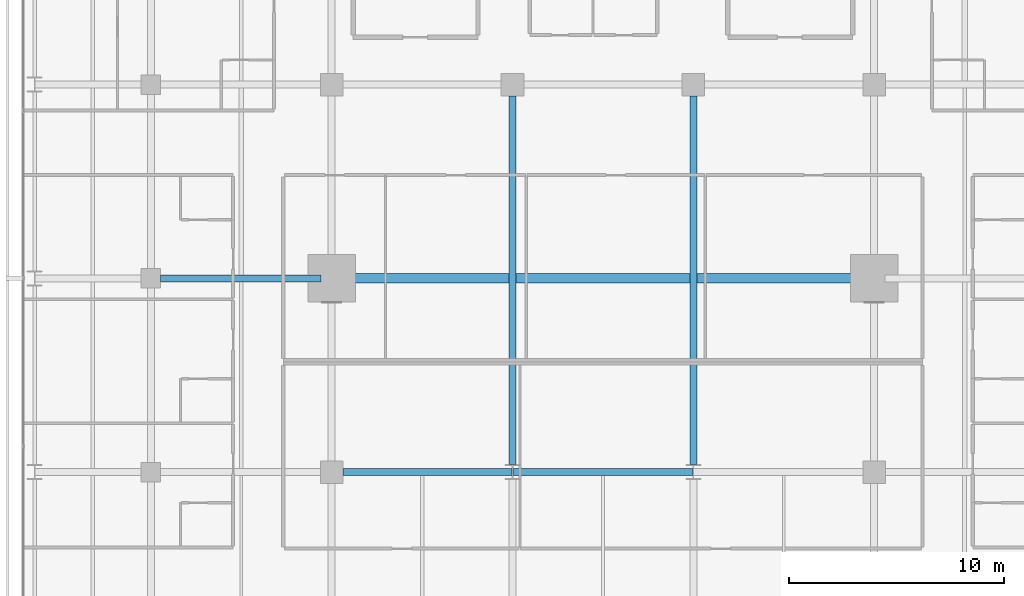
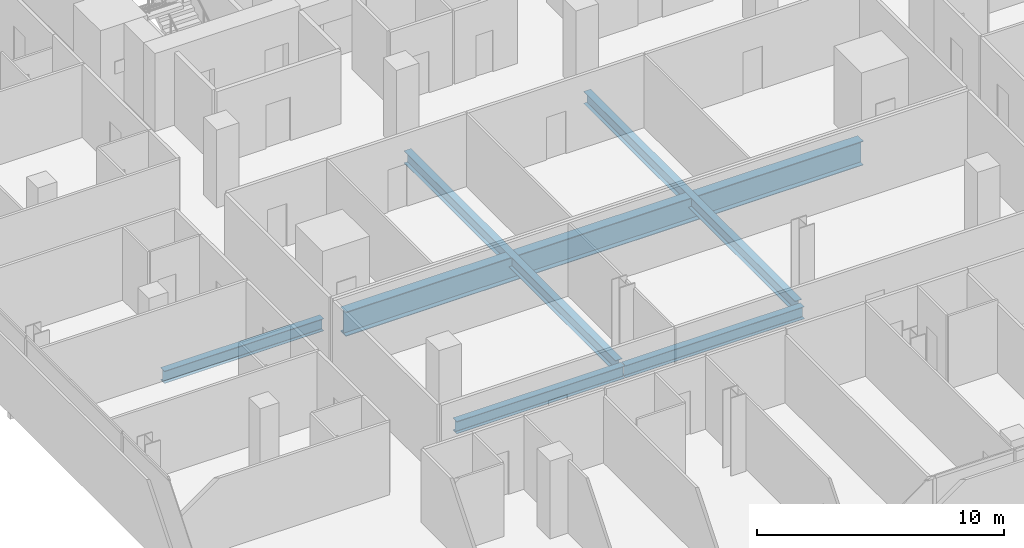
# One storey, part 13 of 40: 6 beams.
"""IFC4 building model written with IfcOpenShell, lengths in metres."""

import ifcopenshell
import ifcopenshell.guid

model = None  # the IFC model being written
_history = None  # IfcOwnerHistory: only IFC2X3 demands one
_inside = {}  # id of a spatial element -> (the spatial element, [elements in it])
_under = {}  # id of a project, library or spatial element -> (it, [spatial elements below it])
_declared = {}  # id of a project -> (the project, [libraries it declares])
_typed = {}  # id of a type object -> (the type object, [elements of that type])
_made_of = {}  # id of a material, layer set ... -> (it, [elements and type objects made of it])


def new_model(schema):
    """Start an empty IFC model of exactly this schema.

    Asked for "IFC4X3", IfcOpenShell would pick the latest addendum, in which some entities
    have other attributes; the version numbers below select the first issue.
    IFC2X3 requires an IfcOwnerHistory on every rooted entity: one is made here for all.
    """
    global model, _history
    if schema == "IFC4X3":
        model = ifcopenshell.file(schema_version=(4, 3, 0, 0))
    else:
        model = ifcopenshell.file(schema=schema)
    _inside.clear()
    _under.clear()
    _declared.clear()
    _typed.clear()
    _made_of.clear()
    _history = None
    if model.schema == "IFC2X3":
        org = make("IfcOrganization", Name="unknown")
        user = make(
            "IfcPersonAndOrganization",
            ThePerson=make("IfcPerson", FamilyName="unknown"),
            TheOrganization=org,
        )
        app = make(
            "IfcApplication",
            ApplicationDeveloper=org,
            Version="unknown",
            ApplicationFullName="unknown",
            ApplicationIdentifier="unknown",
        )
        _history = make(
            "IfcOwnerHistory",
            OwningUser=user,
            OwningApplication=app,
            ChangeAction="ADDED",
            CreationDate=0,
        )
    return model


def make(cls, **values):
    """One entity of the class cls with the attributes given. An attribute that is None is left unset."""
    return model.create_entity(
        cls, **{name: value for name, value in values.items() if value is not None}
    )


def rooted(cls, **values):
    """An entity with a GlobalId (a new one), such as an element, a storey or a relation."""
    return make(cls, GlobalId=ifcopenshell.guid.new(), OwnerHistory=_history, **values)


def si_unit(unit_type, name, prefix=None):
    """IfcSIUnit, for example si_unit("LENGTHUNIT", "METRE", prefix="MILLI")."""
    return make("IfcSIUnit", UnitType=unit_type, Prefix=prefix, Name=name)


def assignment(units):
    """IfcUnitAssignment: the units of a project."""
    return None if units is None else make("IfcUnitAssignment", Units=units)


def point(xyz):
    """IfcCartesianPoint."""
    return None if xyz is None else make("IfcCartesianPoint", Coordinates=xyz)


def direction(xyz):
    """IfcDirection."""
    return None if xyz is None else make("IfcDirection", DirectionRatios=xyz)


def frame(location, z_axis=None, x_axis=None):
    """IfcAxis2Placement3D, a coordinate frame: its origin and axes. An axis left out is left unset."""
    return make(
        "IfcAxis2Placement3D",
        Location=point(location),
        Axis=direction(z_axis),
        RefDirection=direction(x_axis),
    )


def frame_2d(location, x_axis=None):
    """IfcAxis2Placement2D, a coordinate frame in the plane: its origin and x axis."""
    return make(
        "IfcAxis2Placement2D", Location=point(location), RefDirection=direction(x_axis)
    )


def origin():
    """The frame at (0, 0, 0) with its axes left unset."""
    return frame((0.0, 0.0, 0.0))


def origin_2d():
    """The frame at (0, 0) in the plane with its x axis left unset."""
    return frame_2d((0.0, 0.0))


def place(relative_to, where):
    """IfcLocalPlacement: puts the frame where relative to a parent placement (None: the world)."""
    return make(
        "IfcLocalPlacement", PlacementRelTo=relative_to, RelativePlacement=where
    )


def context(
    kind, dimensions, precision=None, world=None, true_north=None, identifier=None
):
    """IfcGeometricRepresentationContext, for example the 3D "Model" context."""
    return make(
        "IfcGeometricRepresentationContext",
        ContextIdentifier=identifier,
        ContextType=kind,
        CoordinateSpaceDimension=dimensions,
        Precision=precision,
        WorldCoordinateSystem=world,
        TrueNorth=true_north,
    )


def subcontext(parent, identifier, kind, view, scale=None):
    """IfcGeometricRepresentationSubContext, for example "Body" below "Model"."""
    return make(
        "IfcGeometricRepresentationSubContext",
        ContextIdentifier=identifier,
        ContextType=kind,
        ParentContext=parent,
        TargetScale=scale,
        TargetView=view,
    )


def project(units=None, contexts=None):
    """IfcProject with its units and contexts."""
    return rooted(
        "IfcProject",
        Name="project",
        RepresentationContexts=contexts,
        UnitsInContext=assignment(units),
    )


def spatial(cls, under=None, at=None, **own):
    """A site, building, storey or space (cls), placed at a placement, below another one or the project."""
    s = rooted(cls, ObjectPlacement=at, **own)
    if under is not None:
        _under.setdefault(under.id(), (under, []))[1].append(s)
    return s


def profile(cls, at=None, kind="AREA", **sizes):
    """A parametric profile (cls). Its sizes go by their IFC names, for example OverallWidth=200.0."""
    return make(cls, ProfileType=kind, Position=at, **sizes)


def i_section(**sizes):
    """IfcIShapeProfileDef."""
    return profile("IfcIShapeProfileDef", **sizes)


def extrude(swept, where, along, depth):
    """IfcExtrudedAreaSolid: the profile swept, set in the frame where, extruded along a direction by depth."""
    return make(
        "IfcExtrudedAreaSolid",
        SweptArea=swept,
        Position=where,
        ExtrudedDirection=direction(along),
        Depth=depth,
    )


def shape(context_of_items, identifier, shape_type, items):
    """IfcShapeRepresentation: the items that make up one representation, for example the "Body"."""
    return make(
        "IfcShapeRepresentation",
        ContextOfItems=context_of_items,
        RepresentationIdentifier=identifier,
        RepresentationType=shape_type,
        Items=items,
    )


def material(Name=None, Category=None):
    """IfcMaterial."""
    return make("IfcMaterial", Name=Name, Category=Category)


def material_profile(
    of_material, cross_section, Name=None, Category=None, Priority=None
):
    """IfcMaterialProfile: a cross section and its material."""
    return make(
        "IfcMaterialProfile",
        Name=Name,
        Material=of_material,
        Profile=cross_section,
        Priority=Priority,
        Category=Category,
    )


def profile_set(profiles, Name=None, composite=None):
    """IfcMaterialProfileSet."""
    return make(
        "IfcMaterialProfileSet",
        Name=Name,
        MaterialProfiles=profiles,
        CompositeProfile=composite,
    )


def made_of(thing, what):
    """Note that an element or type object is made of a material, layer set ...; save() writes the relation."""
    if what is not None:
        _made_of.setdefault(what.id(), (what, []))[1].append(thing)
    return thing


def type_object(cls, material=None, **own):
    """A type object (cls), such as IfcWallType, which elements share."""
    return made_of(rooted(cls, **own), material)


def element(
    cls,
    number,
    at=None,
    inside=None,
    cuts=None,
    type_object=None,
    material=None,
    context=None,
    identifier="Body",
    shape_type=None,
    held_by="IfcProductDefinitionShape",
    body=None,
    shapes=None,
    **own,
):
    """One element of the class cls, such as IfcWall. Its Tag is "e" and its number.

    at: its placement. inside: the storey or other place that contains it. cuts: it is an
    opening in that element (IfcRelVoidsElement). A single representation is given by context,
    identifier, shape_type and body (its items); several are given by shapes. held_by: the class
    of the entity that holds the representations. save() writes the other relations.
    """
    e = rooted(cls, Tag="e%d" % number, ObjectPlacement=at, **own)
    if body is not None:
        shapes = [shape(context, identifier, shape_type, body)]
    if shapes is not None:
        e.Representation = make(held_by, Representations=shapes)
    if inside is not None:
        _inside.setdefault(inside.id(), (inside, []))[1].append(e)
    if cuts is not None:
        rooted(
            "IfcRelVoidsElement", RelatingBuildingElement=cuts, RelatedOpeningElement=e
        )
    if type_object is not None:
        _typed.setdefault(type_object.id(), (type_object, []))[1].append(e)
    return made_of(e, material)


def aggregate(whole, parts):
    """IfcRelAggregates: a whole, such as a stair, and the parts it consists of."""
    return rooted("IfcRelAggregates", RelatingObject=whole, RelatedObjects=parts)


def save(model, path):
    """Write the relations noted so far, then the file.

    IfcRelAggregates (storeys below a building ...), IfcRelContainedInSpatialStructure (elements
    in a storey), IfcRelDefinesByType, IfcRelAssociatesMaterial and IfcRelDeclares: one each for
    every whole, place, type object, material and project.
    """
    for whole, parts in _under.values():
        aggregate(whole, parts)
    for where, things in _inside.values():
        rooted(
            "IfcRelContainedInSpatialStructure",
            RelatedElements=things,
            RelatingStructure=where,
        )
    for kind, things in _typed.values():
        rooted("IfcRelDefinesByType", RelatedObjects=things, RelatingType=kind)
    for what, things in _made_of.values():
        rooted("IfcRelAssociatesMaterial", RelatedObjects=things, RelatingMaterial=what)
    for by, libraries in _declared.values():
        rooted("IfcRelDeclares", RelatingContext=by, RelatedDefinitions=libraries)
    model.write(path)


model = new_model("IFC4")

# Units and contexts
model_context = context("Model", 3, precision=1e-05, world=origin(), true_north=direction((0.0, 1.0)))
body_context = subcontext(model_context, "Body", "Model", "MODEL_VIEW")
ifc_project = project(units=[si_unit("LENGTHUNIT", "METRE"), si_unit("AREAUNIT", "SQUARE_METRE"), si_unit("VOLUMEUNIT", "CUBIC_METRE"), si_unit("PLANEANGLEUNIT", "RADIAN"), si_unit("MASSUNIT", "GRAM", prefix="KILO")], contexts=[model_context])

# Site, building, storey
site_placement = place(None, origin())
site = spatial("IfcSite", under=ifc_project, at=site_placement, CompositionType="ELEMENT")
building_placement = place(site_placement, origin())
building = spatial("IfcBuilding", under=site, at=building_placement, Name="Maruvema Waterfront Hotel and Observation Tower", CompositionType="ELEMENT")
storey_placement = place(building_placement, frame((0.0, 0.0, 96.25)))
storey = spatial("IfcBuildingStorey", under=building, at=storey_placement, Name="L23", CompositionType="ELEMENT", Elevation=96.25)

# Beams
ifc_material_1 = material(Name="Steel ASTM A572 Grade 50", Category="steel")
ifc_material_profile_1 = material_profile(ifc_material_1, i_section(OverallWidth=0.323974609375, OverallDepth=0.611083984375, WebThickness=0.0126953125, FlangeThickness=0.01904296875, FilletRadius=0.01806640625, at=origin_2d()), Name="W610x155.0")
ifc_profile_set_1 = profile_set([ifc_material_profile_1], Name="Steel ASTM A572 Grade 50")
beam_type_1 = type_object("IfcBeamType", Name="Primary Floor Girder W610x155.0", PredefinedType="BEAM", material=ifc_profile_set_1)
beam_1_placement = place(storey_placement, frame((25.72509765625, 18.0, -0.54541015625), z_axis=(1.0, 0.0, 0.0), x_axis=(0.0, 1.0, 0.0)))
element("IfcBeam", 1, at=beam_1_placement, inside=storey, type_object=beam_type_1, Name="L23 Floor Girder EW-15", PredefinedType="BEAM", context=body_context, shape_type="SweptSolid", body=[
    extrude(i_section(OverallWidth=0.323974609375, OverallDepth=0.611083984375, WebThickness=0.0126953125, FlangeThickness=0.01904296875, FilletRadius=0.01806640625, at=origin_2d()), origin(), (0.0, 0.0, 1.0), 7.86083984375),
])
beam_2_placement = place(storey_placement, frame((33.614013671875, 18.0, -0.54541015625), z_axis=(1.0, 0.0, 0.0), x_axis=(0.0, 1.0, 0.0)))
element("IfcBeam", 2, at=beam_2_placement, inside=storey, type_object=beam_type_1, Name="L23 Floor Girder EW-16", PredefinedType="BEAM", context=body_context, shape_type="SweptSolid", body=[
    extrude(i_section(OverallWidth=0.323974609375, OverallDepth=0.611083984375, WebThickness=0.0126953125, FlangeThickness=0.01904296875, FilletRadius=0.01806640625, at=origin_2d()), origin(), (0.0, 0.0, 1.0), 8.3720703125),
])
beam_3_placement = place(storey_placement, frame((17.25, 27.0, -0.54541015625), z_axis=(1.0, 0.0, 0.0), x_axis=(0.0, 1.0, 0.0)))
element("IfcBeam", 3, at=beam_3_placement, inside=storey, type_object=beam_type_1, Name="L23 Floor Girder EW-21", PredefinedType="BEAM", context=body_context, shape_type="SweptSolid", body=[
    extrude(i_section(OverallWidth=0.323974609375, OverallDepth=0.611083984375, WebThickness=0.0126953125, FlangeThickness=0.01904296875, FilletRadius=0.01806640625, at=origin_2d()), origin(), (0.0, 0.0, 1.0), 7.449951171875),
])
for number, where, z_axis, x_axis, name in (
    (4, (33.60009765625, 18.35009765625, -0.54541015625), (0.0, 1.0, 0.0), (-1.0, 0.0, 0.0), "L23 Floor Girder NS-18"),
    (5, (42.0, 18.35009765625, -0.54541015625), (0.0, 1.0, 0.0), (-1.0, 0.0, 0.0), "L23 Floor Girder NS-21"),
):
    element("IfcBeam", number, at=place(storey_placement, frame(where, z_axis=z_axis, x_axis=x_axis)), inside=storey, type_object=beam_type_1, Name=name, PredefinedType="BEAM", context=body_context, shape_type="SweptSolid", body=[
        extrude(i_section(OverallWidth=0.323974609375, OverallDepth=0.611083984375, WebThickness=0.0126953125, FlangeThickness=0.01904296875, FilletRadius=0.01806640625, at=origin_2d()), origin(), (0.0, 0.0, 1.0), 17.125),
    ])
ifc_material_2 = material(Name="Steel ABNT NBR 7007 AR 415 (ASTM A572 Grade 50)", Category="steel")
ifc_material_profile_2 = material_profile(ifc_material_2, i_section(OverallWidth=0.449951171875, OverallDepth=1.199951171875, WebThickness=0.01904296875, FlangeThickness=0.031982421875, at=origin_2d()), Name="VS1200x366")
ifc_profile_set_2 = profile_set([ifc_material_profile_2], Name="Steel ABNT NBR 7007 AR 415 (ASTM A572 Grade 50)")
beam_type_2 = type_object("IfcBeamType", Name="Upper Setback Transfer Girder VS1200x366", PredefinedType="USERDEFINED", material=ifc_profile_set_2)
beam_4_placement = place(storey_placement, frame((25.699951171875, 27.0, -0.840087890625), z_axis=(1.0, 0.0, 0.0), x_axis=(0.0, 1.0, 0.0)))
element("IfcBeam", 6, at=beam_4_placement, inside=storey, type_object=beam_type_2, Name="L23 Floor Girder EW-22", ObjectType="TRANSFER GIRDER", PredefinedType="USERDEFINED", context=body_context, shape_type="SweptSolid", body=[
    extrude(i_section(OverallWidth=0.449951171875, OverallDepth=1.199951171875, WebThickness=0.01904296875, FlangeThickness=0.031982421875, at=origin_2d()), origin(), (0.0, 0.0, 1.0), 24.199951171875),
])

save(model, "model.ifc")
